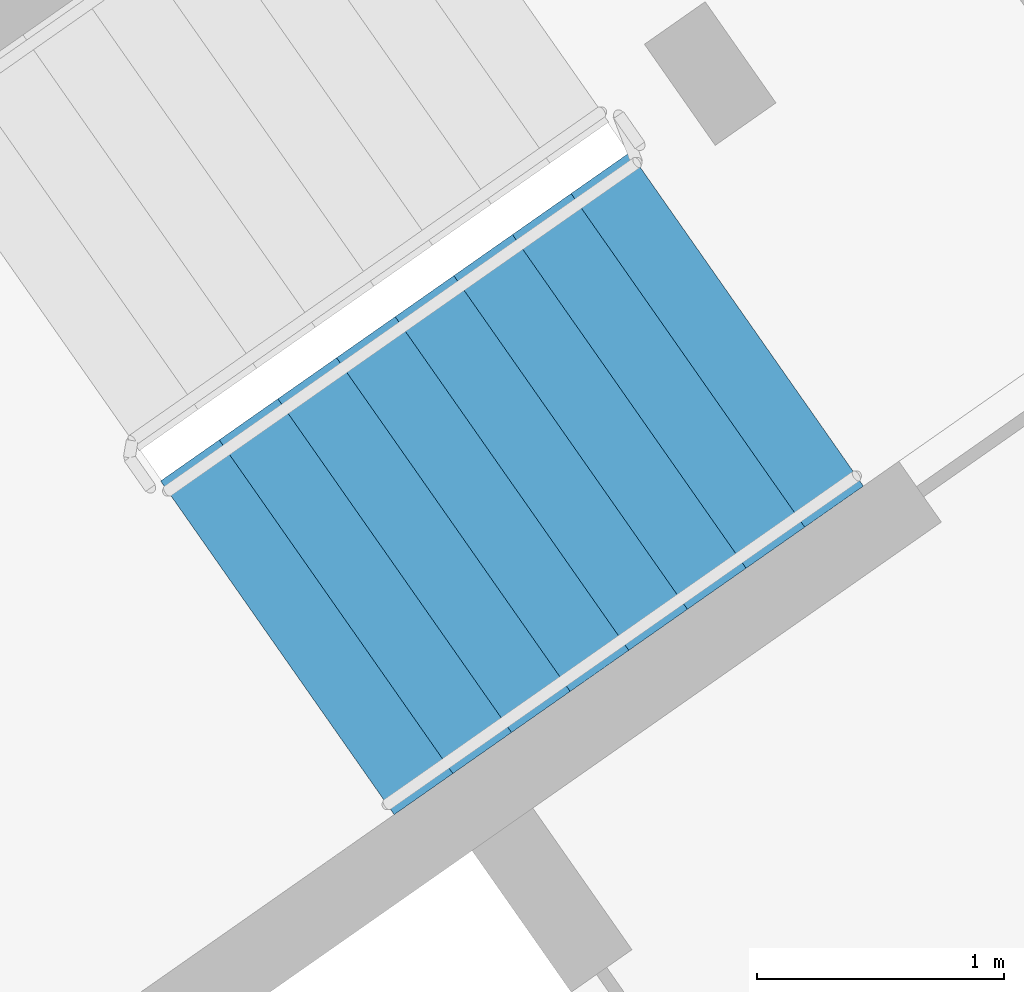
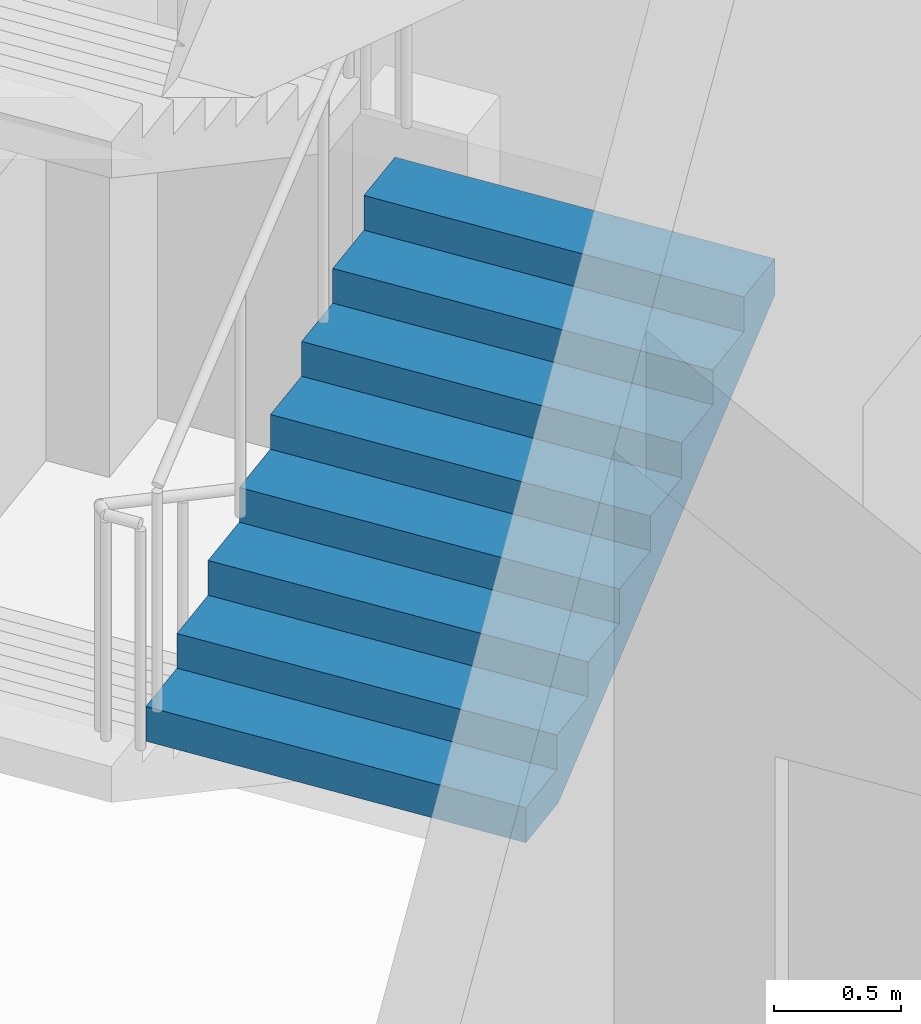
# One storey, part 20 of 41: 1 stair flight, 1 element without a shape of its own.
"""IFC4 building model written with IfcOpenShell, lengths in metres."""

from ifc_helpers import new_model, si_unit, direction, frame, origin, place, context, subcontext, project, spatial, faceted_brep, material, type_object, element, aggregate, save


model = new_model("IFC4")

# Units and contexts
model_context = context("Model", 3, precision=1e-05, world=origin(), true_north=direction((0.0, 1.0)))
body_context = subcontext(model_context, "Body", "Model", "MODEL_VIEW")
ifc_project = project(units=[si_unit("LENGTHUNIT", "METRE"), si_unit("AREAUNIT", "SQUARE_METRE"), si_unit("VOLUMEUNIT", "CUBIC_METRE"), si_unit("PLANEANGLEUNIT", "RADIAN"), si_unit("MASSUNIT", "GRAM", prefix="KILO")], contexts=[model_context])

# Site, building, storey
site_placement = place(None, origin())
site = spatial("IfcSite", under=ifc_project, at=site_placement, CompositionType="ELEMENT")
building_placement = place(site_placement, origin())
building = spatial("IfcBuilding", under=site, at=building_placement, Name="Qamariyya Broadcast Tower", CompositionType="ELEMENT")
storey_placement = place(building_placement, frame((0.0, 0.0, 284.699951171875)))
storey = spatial("IfcBuildingStorey", under=building, at=storey_placement, Name="L69", CompositionType="ELEMENT", Elevation=284.699951171875)

# Stair, stair flight
ifc_material = material(Name="Concrete C50/60", Category="concrete")
stair_type = type_object("IfcStairType", Name="Exit stair 36 risers of 167 mm", PredefinedType="HALF_TURN_STAIR", material=ifc_material)
stair_placement = place(storey_placement, origin())
stair = element("IfcStair", 1, at=stair_placement, inside=storey, type_object=stair_type, Name="L69 Stair E2", PredefinedType="HALF_TURN_STAIR")
stair_flight_type = type_object("IfcStairFlightType", Name="Exit stair flight 9 risers of 167 mm", PredefinedType="STRAIGHT", material=ifc_material)
stair_flight_placement = place(storey_placement, frame((39.690673828125, -50.490478515625, 1.5), z_axis=(0.0, 0.0, 1.0), x_axis=(0.819152044289, 0.573576436351, 0.0)))
stair_flight = element("IfcStairFlight", 2, at=stair_flight_placement, type_object=stair_flight_type, Name="ST-E2 flight 2", NumberOfRisers=9, NumberOfTreads=8, PredefinedType="STRAIGHT", RiserHeight=0.166666667, TreadLength=0.29, context=body_context, shape_type="Brep", body=[
    faceted_brep([(0.0, 0.824951171875, 0.0), (0.0, 0.824951171875, 0.166748046875), (0.2900390625, 0.824951171875, 0.166748046875), (0.2900390625, 0.824951171875, 0.333251953125), (0.580078125, 0.824951171875, 0.333251953125), (0.580078125, 0.824951171875, 0.5), (0.8701171875, 0.824951171875, 0.5), (0.8701171875, 0.824951171875, 0.666748046875), (1.159912109375, 0.824951171875, 0.666748046875), (1.159912109375, 0.824951171875, 0.833251953125), (1.449951171875, 0.824951171875, 0.833251953125), (1.449951171875, 0.824951171875, 1.0), (1.739990234375, 0.824951171875, 1.0), (1.739990234375, 0.824951171875, 1.166748046875), (2.030029296875, 0.824951171875, 1.166748046875), (2.030029296875, 0.824951171875, 1.333251953125), (2.320068359375, 0.824951171875, 1.333251953125), (2.320068359375, 0.824951171875, 1.160400390625), (0.30078125, 0.824951171875, 0.0), (0.30078125, -0.824951171875, 0.0), (2.320068359375, -0.824951171875, 1.160400390625), (2.320068359375, -0.824951171875, 1.333251953125), (2.030029296875, -0.824951171875, 1.333251953125), (2.030029296875, -0.824951171875, 1.166748046875), (1.739990234375, -0.824951171875, 1.166748046875), (1.739990234375, -0.824951171875, 1.0), (1.449951171875, -0.824951171875, 1.0), (1.449951171875, -0.824951171875, 0.833251953125), (1.159912109375, -0.824951171875, 0.833251953125), (1.159912109375, -0.824951171875, 0.666748046875), (0.8701171875, -0.824951171875, 0.666748046875), (0.8701171875, -0.824951171875, 0.5), (0.580078125, -0.824951171875, 0.5), (0.580078125, -0.824951171875, 0.333251953125), (0.2900390625, -0.824951171875, 0.333251953125), (0.2900390625, -0.824951171875, 0.166748046875), (0.0, -0.824951171875, 0.166748046875), (0.0, -0.824951171875, 0.0), (0.0, 0.10009765625, 0.0), (0.0, 0.086669921875, 0.0), (0.0, 0.0732421875, 0.0), (0.0, 0.06005859375, 0.0), (0.0, 0.046630859375, 0.0), (0.0, 0.033447265625, 0.0), (0.0, 0.02001953125, 0.0), (0.0, 0.006591796875, 0.0), (0.0, -0.006591796875, 0.0), (0.0, -0.02001953125, 0.0), (0.0, -0.033447265625, 0.0), (0.0, -0.046630859375, 0.0), (0.0, -0.06005859375, 0.0), (0.0, -0.0732421875, 0.0), (0.0, -0.086669921875, 0.0), (0.0, -0.10009765625, 0.0), (0.0, -0.10009765625, 0.166748046875), (0.0, -0.086669921875, 0.166748046875), (0.0, -0.0732421875, 0.166748046875), (0.0, -0.06005859375, 0.166748046875), (0.0, -0.046630859375, 0.166748046875), (0.0, -0.033447265625, 0.166748046875), (0.0, -0.02001953125, 0.166748046875), (0.0, -0.006591796875, 0.166748046875), (0.0, 0.006591796875, 0.166748046875), (0.0, 0.02001953125, 0.166748046875), (0.0, 0.033447265625, 0.166748046875), (0.0, 0.046630859375, 0.166748046875), (0.0, 0.06005859375, 0.166748046875), (0.0, 0.0732421875, 0.166748046875), (0.0, 0.086669921875, 0.166748046875), (0.0, 0.10009765625, 0.166748046875), (0.2900390625, -0.10009765625, 0.166748046875), (0.2900390625, -0.086669921875, 0.166748046875), (0.2900390625, -0.0732421875, 0.166748046875), (0.2900390625, -0.06005859375, 0.166748046875), (0.2900390625, -0.046630859375, 0.166748046875), (0.2900390625, -0.033447265625, 0.166748046875), (0.2900390625, -0.02001953125, 0.166748046875), (0.2900390625, -0.006591796875, 0.166748046875), (0.2900390625, 0.006591796875, 0.166748046875), (0.2900390625, 0.02001953125, 0.166748046875), (0.2900390625, 0.033447265625, 0.166748046875), (0.2900390625, 0.046630859375, 0.166748046875), (0.2900390625, 0.06005859375, 0.166748046875), (0.2900390625, 0.0732421875, 0.166748046875), (0.2900390625, 0.086669921875, 0.166748046875), (0.2900390625, 0.10009765625, 0.166748046875), (0.2900390625, -0.10009765625, 0.333251953125), (0.2900390625, -0.086669921875, 0.333251953125), (0.2900390625, -0.0732421875, 0.333251953125), (0.2900390625, -0.06005859375, 0.333251953125), (0.2900390625, -0.046630859375, 0.333251953125), (0.2900390625, -0.033447265625, 0.333251953125), (0.2900390625, -0.02001953125, 0.333251953125), (0.2900390625, -0.006591796875, 0.333251953125), (0.2900390625, 0.006591796875, 0.333251953125), (0.2900390625, 0.02001953125, 0.333251953125), (0.2900390625, 0.033447265625, 0.333251953125), (0.2900390625, 0.046630859375, 0.333251953125), (0.2900390625, 0.06005859375, 0.333251953125), (0.2900390625, 0.0732421875, 0.333251953125), (0.2900390625, 0.086669921875, 0.333251953125), (0.2900390625, 0.10009765625, 0.333251953125), (0.580078125, -0.10009765625, 0.333251953125), (0.580078125, -0.086669921875, 0.333251953125), (0.580078125, -0.0732421875, 0.333251953125), (0.580078125, -0.06005859375, 0.333251953125), (0.580078125, -0.046630859375, 0.333251953125), (0.580078125, -0.033447265625, 0.333251953125), (0.580078125, -0.02001953125, 0.333251953125), (0.580078125, -0.006591796875, 0.333251953125), (0.580078125, 0.006591796875, 0.333251953125), (0.580078125, 0.02001953125, 0.333251953125), (0.580078125, 0.033447265625, 0.333251953125), (0.580078125, 0.046630859375, 0.333251953125), (0.580078125, 0.06005859375, 0.333251953125), (0.580078125, 0.0732421875, 0.333251953125), (0.580078125, 0.086669921875, 0.333251953125), (0.580078125, 0.10009765625, 0.333251953125), (0.580078125, -0.10009765625, 0.5), (0.580078125, -0.086669921875, 0.5), (0.580078125, -0.0732421875, 0.5), (0.580078125, -0.06005859375, 0.5), (0.580078125, -0.046630859375, 0.5), (0.580078125, -0.033447265625, 0.5), (0.580078125, -0.02001953125, 0.5), (0.580078125, -0.006591796875, 0.5), (0.580078125, 0.006591796875, 0.5), (0.580078125, 0.02001953125, 0.5), (0.580078125, 0.033447265625, 0.5), (0.580078125, 0.046630859375, 0.5), (0.580078125, 0.06005859375, 0.5), (0.580078125, 0.0732421875, 0.5), (0.580078125, 0.086669921875, 0.5), (0.580078125, 0.10009765625, 0.5), (0.8701171875, -0.10009765625, 0.5), (0.8701171875, -0.086669921875, 0.5), (0.8701171875, -0.0732421875, 0.5), (0.8701171875, -0.06005859375, 0.5), (0.8701171875, -0.046630859375, 0.5), (0.8701171875, -0.033447265625, 0.5), (0.8701171875, -0.02001953125, 0.5), (0.8701171875, -0.006591796875, 0.5), (0.8701171875, 0.006591796875, 0.5), (0.8701171875, 0.02001953125, 0.5), (0.8701171875, 0.033447265625, 0.5), (0.8701171875, 0.046630859375, 0.5), (0.8701171875, 0.06005859375, 0.5), (0.8701171875, 0.0732421875, 0.5), (0.8701171875, 0.086669921875, 0.5), (0.8701171875, 0.10009765625, 0.5), (0.8701171875, -0.10009765625, 0.666748046875), (0.8701171875, -0.086669921875, 0.666748046875), (0.8701171875, -0.0732421875, 0.666748046875), (0.8701171875, -0.06005859375, 0.666748046875), (0.8701171875, -0.046630859375, 0.666748046875), (0.8701171875, -0.033447265625, 0.666748046875), (0.8701171875, -0.02001953125, 0.666748046875), (0.8701171875, -0.006591796875, 0.666748046875), (0.8701171875, 0.006591796875, 0.666748046875), (0.8701171875, 0.02001953125, 0.666748046875), (0.8701171875, 0.033447265625, 0.666748046875), (0.8701171875, 0.046630859375, 0.666748046875), (0.8701171875, 0.06005859375, 0.666748046875), (0.8701171875, 0.0732421875, 0.666748046875), (0.8701171875, 0.086669921875, 0.666748046875), (0.8701171875, 0.10009765625, 0.666748046875), (1.159912109375, -0.10009765625, 0.666748046875), (1.159912109375, -0.086669921875, 0.666748046875), (1.159912109375, -0.0732421875, 0.666748046875), (1.159912109375, -0.06005859375, 0.666748046875), (1.159912109375, -0.046630859375, 0.666748046875), (1.159912109375, -0.033447265625, 0.666748046875), (1.159912109375, -0.02001953125, 0.666748046875), (1.159912109375, -0.006591796875, 0.666748046875), (1.159912109375, 0.006591796875, 0.666748046875), (1.159912109375, 0.02001953125, 0.666748046875), (1.159912109375, 0.033447265625, 0.666748046875), (1.159912109375, 0.046630859375, 0.666748046875), (1.159912109375, 0.06005859375, 0.666748046875), (1.159912109375, 0.0732421875, 0.666748046875), (1.159912109375, 0.086669921875, 0.666748046875), (1.159912109375, 0.10009765625, 0.666748046875), (1.159912109375, -0.10009765625, 0.833251953125), (1.159912109375, -0.086669921875, 0.833251953125), (1.159912109375, -0.0732421875, 0.833251953125), (1.159912109375, -0.06005859375, 0.833251953125), (1.159912109375, -0.046630859375, 0.833251953125), (1.159912109375, -0.033447265625, 0.833251953125), (1.159912109375, -0.02001953125, 0.833251953125), (1.159912109375, -0.006591796875, 0.833251953125), (1.159912109375, 0.006591796875, 0.833251953125), (1.159912109375, 0.02001953125, 0.833251953125), (1.159912109375, 0.033447265625, 0.833251953125), (1.159912109375, 0.046630859375, 0.833251953125), (1.159912109375, 0.06005859375, 0.833251953125), (1.159912109375, 0.0732421875, 0.833251953125), (1.159912109375, 0.086669921875, 0.833251953125), (1.159912109375, 0.10009765625, 0.833251953125), (1.449951171875, -0.10009765625, 0.833251953125), (1.449951171875, -0.086669921875, 0.833251953125), (1.449951171875, -0.0732421875, 0.833251953125), (1.449951171875, -0.06005859375, 0.833251953125), (1.449951171875, -0.046630859375, 0.833251953125), (1.449951171875, -0.033447265625, 0.833251953125), (1.449951171875, -0.02001953125, 0.833251953125), (1.449951171875, -0.006591796875, 0.833251953125), (1.449951171875, 0.006591796875, 0.833251953125), (1.449951171875, 0.02001953125, 0.833251953125), (1.449951171875, 0.033447265625, 0.833251953125), (1.449951171875, 0.046630859375, 0.833251953125), (1.449951171875, 0.06005859375, 0.833251953125), (1.449951171875, 0.0732421875, 0.833251953125), (1.449951171875, 0.086669921875, 0.833251953125), (1.449951171875, 0.10009765625, 0.833251953125), (1.449951171875, -0.10009765625, 1.0), (1.449951171875, -0.086669921875, 1.0), (1.449951171875, -0.0732421875, 1.0), (1.449951171875, -0.06005859375, 1.0), (1.449951171875, -0.046630859375, 1.0), (1.449951171875, -0.033447265625, 1.0), (1.449951171875, -0.02001953125, 1.0), (1.449951171875, -0.006591796875, 1.0), (1.449951171875, 0.006591796875, 1.0), (1.449951171875, 0.02001953125, 1.0), (1.449951171875, 0.033447265625, 1.0), (1.449951171875, 0.046630859375, 1.0), (1.449951171875, 0.06005859375, 1.0), (1.449951171875, 0.0732421875, 1.0), (1.449951171875, 0.086669921875, 1.0), (1.449951171875, 0.10009765625, 1.0), (1.739990234375, -0.10009765625, 1.0), (1.739990234375, -0.086669921875, 1.0), (1.739990234375, -0.0732421875, 1.0), (1.739990234375, -0.06005859375, 1.0), (1.739990234375, -0.046630859375, 1.0), (1.739990234375, -0.033447265625, 1.0), (1.739990234375, -0.02001953125, 1.0), (1.739990234375, -0.006591796875, 1.0), (1.739990234375, 0.006591796875, 1.0), (1.739990234375, 0.02001953125, 1.0), (1.739990234375, 0.033447265625, 1.0), (1.739990234375, 0.046630859375, 1.0), (1.739990234375, 0.06005859375, 1.0), (1.739990234375, 0.0732421875, 1.0), (1.739990234375, 0.086669921875, 1.0), (1.739990234375, 0.10009765625, 1.0), (1.739990234375, -0.10009765625, 1.166748046875), (1.739990234375, -0.086669921875, 1.166748046875), (1.739990234375, -0.0732421875, 1.166748046875), (1.739990234375, -0.06005859375, 1.166748046875), (1.739990234375, -0.046630859375, 1.166748046875), (1.739990234375, -0.033447265625, 1.166748046875), (1.739990234375, -0.02001953125, 1.166748046875), (1.739990234375, -0.006591796875, 1.166748046875), (1.739990234375, 0.006591796875, 1.166748046875), (1.739990234375, 0.02001953125, 1.166748046875), (1.739990234375, 0.033447265625, 1.166748046875), (1.739990234375, 0.046630859375, 1.166748046875), (1.739990234375, 0.06005859375, 1.166748046875), (1.739990234375, 0.0732421875, 1.166748046875), (1.739990234375, 0.086669921875, 1.166748046875), (1.739990234375, 0.10009765625, 1.166748046875), (2.030029296875, -0.10009765625, 1.166748046875), (2.030029296875, -0.086669921875, 1.166748046875), (2.030029296875, -0.0732421875, 1.166748046875), (2.030029296875, -0.06005859375, 1.166748046875), (2.030029296875, -0.046630859375, 1.166748046875), (2.030029296875, -0.033447265625, 1.166748046875), (2.030029296875, -0.02001953125, 1.166748046875), (2.030029296875, -0.006591796875, 1.166748046875), (2.030029296875, 0.006591796875, 1.166748046875), (2.030029296875, 0.02001953125, 1.166748046875), (2.030029296875, 0.033447265625, 1.166748046875), (2.030029296875, 0.046630859375, 1.166748046875), (2.030029296875, 0.06005859375, 1.166748046875), (2.030029296875, 0.0732421875, 1.166748046875), (2.030029296875, 0.086669921875, 1.166748046875), (2.030029296875, 0.10009765625, 1.166748046875), (2.030029296875, -0.10009765625, 1.333251953125), (2.030029296875, -0.086669921875, 1.333251953125), (2.030029296875, -0.0732421875, 1.333251953125), (2.030029296875, -0.06005859375, 1.333251953125), (2.030029296875, -0.046630859375, 1.333251953125), (2.030029296875, -0.033447265625, 1.333251953125), (2.030029296875, -0.02001953125, 1.333251953125), (2.030029296875, -0.006591796875, 1.333251953125), (2.030029296875, 0.006591796875, 1.333251953125), (2.030029296875, 0.02001953125, 1.333251953125), (2.030029296875, 0.033447265625, 1.333251953125), (2.030029296875, 0.046630859375, 1.333251953125), (2.030029296875, 0.06005859375, 1.333251953125), (2.030029296875, 0.0732421875, 1.333251953125), (2.030029296875, 0.086669921875, 1.333251953125), (2.030029296875, 0.10009765625, 1.333251953125), (2.320068359375, -0.10009765625, 1.333251953125), (2.320068359375, -0.086669921875, 1.333251953125), (2.320068359375, -0.0732421875, 1.333251953125), (2.320068359375, -0.06005859375, 1.333251953125), (2.320068359375, -0.046630859375, 1.333251953125), (2.320068359375, -0.033447265625, 1.333251953125), (2.320068359375, -0.02001953125, 1.333251953125), (2.320068359375, -0.006591796875, 1.333251953125), (2.320068359375, 0.006591796875, 1.333251953125), (2.320068359375, 0.02001953125, 1.333251953125), (2.320068359375, 0.033447265625, 1.333251953125), (2.320068359375, 0.046630859375, 1.333251953125), (2.320068359375, 0.06005859375, 1.333251953125), (2.320068359375, 0.0732421875, 1.333251953125), (2.320068359375, 0.086669921875, 1.333251953125), (2.320068359375, 0.10009765625, 1.333251953125), (2.320068359375, -0.10009765625, 1.160400390625), (2.320068359375, -0.086669921875, 1.160400390625), (2.320068359375, -0.0732421875, 1.160400390625), (2.320068359375, -0.06005859375, 1.160400390625), (2.320068359375, -0.046630859375, 1.160400390625), (2.320068359375, -0.033447265625, 1.160400390625), (2.320068359375, -0.02001953125, 1.160400390625), (2.320068359375, -0.006591796875, 1.160400390625), (2.320068359375, 0.006591796875, 1.160400390625), (2.320068359375, 0.02001953125, 1.160400390625), (2.320068359375, 0.033447265625, 1.160400390625), (2.320068359375, 0.046630859375, 1.160400390625), (2.320068359375, 0.06005859375, 1.160400390625), (2.320068359375, 0.0732421875, 1.160400390625), (2.320068359375, 0.086669921875, 1.160400390625), (2.320068359375, 0.10009765625, 1.160400390625), (0.30078125, -0.10009765625, 0.0), (0.30078125, -0.086669921875, 0.0), (0.30078125, -0.0732421875, 0.0), (0.30078125, -0.06005859375, 0.0), (0.30078125, -0.046630859375, 0.0), (0.30078125, -0.033447265625, 0.0), (0.30078125, -0.02001953125, 0.0), (0.30078125, -0.006591796875, 0.0), (0.30078125, 0.006591796875, 0.0), (0.30078125, 0.02001953125, 0.0), (0.30078125, 0.033447265625, 0.0), (0.30078125, 0.046630859375, 0.0), (0.30078125, 0.06005859375, 0.0), (0.30078125, 0.0732421875, 0.0), (0.30078125, 0.086669921875, 0.0), (0.30078125, 0.10009765625, 0.0)], [[[0, 1, 2, 3, 4, 5, 6, 7, 8, 9, 10, 11, 12, 13, 14, 15, 16, 17, 18]], [[19, 20, 21, 22, 23, 24, 25, 26, 27, 28, 29, 30, 31, 32, 33, 34, 35, 36, 37]], [[0, 38, 39, 40, 41, 42, 43, 44, 45, 46, 47, 48, 49, 50, 51, 52, 53, 37, 36, 54, 55, 56, 57, 58, 59, 60, 61, 62, 63, 64, 65, 66, 67, 68, 69, 1]], [[1, 69, 68, 67, 66, 65, 64, 63, 62, 61, 60, 59, 58, 57, 56, 55, 54, 36, 35, 70, 71, 72, 73, 74, 75, 76, 77, 78, 79, 80, 81, 82, 83, 84, 85, 2]], [[2, 85, 84, 83, 82, 81, 80, 79, 78, 77, 76, 75, 74, 73, 72, 71, 70, 35, 34, 86, 87, 88, 89, 90, 91, 92, 93, 94, 95, 96, 97, 98, 99, 100, 101, 3]], [[3, 101, 100, 99, 98, 97, 96, 95, 94, 93, 92, 91, 90, 89, 88, 87, 86, 34, 33, 102, 103, 104, 105, 106, 107, 108, 109, 110, 111, 112, 113, 114, 115, 116, 117, 4]], [[4, 117, 116, 115, 114, 113, 112, 111, 110, 109, 108, 107, 106, 105, 104, 103, 102, 33, 32, 118, 119, 120, 121, 122, 123, 124, 125, 126, 127, 128, 129, 130, 131, 132, 133, 5]], [[5, 133, 132, 131, 130, 129, 128, 127, 126, 125, 124, 123, 122, 121, 120, 119, 118, 32, 31, 134, 135, 136, 137, 138, 139, 140, 141, 142, 143, 144, 145, 146, 147, 148, 149, 6]], [[6, 149, 148, 147, 146, 145, 144, 143, 142, 141, 140, 139, 138, 137, 136, 135, 134, 31, 30, 150, 151, 152, 153, 154, 155, 156, 157, 158, 159, 160, 161, 162, 163, 164, 165, 7]], [[7, 165, 164, 163, 162, 161, 160, 159, 158, 157, 156, 155, 154, 153, 152, 151, 150, 30, 29, 166, 167, 168, 169, 170, 171, 172, 173, 174, 175, 176, 177, 178, 179, 180, 181, 8]], [[8, 181, 180, 179, 178, 177, 176, 175, 174, 173, 172, 171, 170, 169, 168, 167, 166, 29, 28, 182, 183, 184, 185, 186, 187, 188, 189, 190, 191, 192, 193, 194, 195, 196, 197, 9]], [[9, 197, 196, 195, 194, 193, 192, 191, 190, 189, 188, 187, 186, 185, 184, 183, 182, 28, 27, 198, 199, 200, 201, 202, 203, 204, 205, 206, 207, 208, 209, 210, 211, 212, 213, 10]], [[10, 213, 212, 211, 210, 209, 208, 207, 206, 205, 204, 203, 202, 201, 200, 199, 198, 27, 26, 214, 215, 216, 217, 218, 219, 220, 221, 222, 223, 224, 225, 226, 227, 228, 229, 11]], [[11, 229, 228, 227, 226, 225, 224, 223, 222, 221, 220, 219, 218, 217, 216, 215, 214, 26, 25, 230, 231, 232, 233, 234, 235, 236, 237, 238, 239, 240, 241, 242, 243, 244, 245, 12]], [[12, 245, 244, 243, 242, 241, 240, 239, 238, 237, 236, 235, 234, 233, 232, 231, 230, 25, 24, 246, 247, 248, 249, 250, 251, 252, 253, 254, 255, 256, 257, 258, 259, 260, 261, 13]], [[13, 261, 260, 259, 258, 257, 256, 255, 254, 253, 252, 251, 250, 249, 248, 247, 246, 24, 23, 262, 263, 264, 265, 266, 267, 268, 269, 270, 271, 272, 273, 274, 275, 276, 277, 14]], [[14, 277, 276, 275, 274, 273, 272, 271, 270, 269, 268, 267, 266, 265, 264, 263, 262, 23, 22, 278, 279, 280, 281, 282, 283, 284, 285, 286, 287, 288, 289, 290, 291, 292, 293, 15]], [[15, 293, 292, 291, 290, 289, 288, 287, 286, 285, 284, 283, 282, 281, 280, 279, 278, 22, 21, 294, 295, 296, 297, 298, 299, 300, 301, 302, 303, 304, 305, 306, 307, 308, 309, 16]], [[16, 309, 308, 307, 306, 305, 304, 303, 302, 301, 300, 299, 298, 297, 296, 295, 294, 21, 20, 310, 311, 312, 313, 314, 315, 316, 317, 318, 319, 320, 321, 322, 323, 324, 325, 17]], [[17, 325, 324, 323, 322, 321, 320, 319, 318, 317, 316, 315, 314, 313, 312, 311, 310, 20, 19, 326, 327, 328, 329, 330, 331, 332, 333, 334, 335, 336, 337, 338, 339, 340, 341, 18]], [[18, 341, 340, 339, 338, 337, 336, 335, 334, 333, 332, 331, 330, 329, 328, 327, 326, 19, 37, 53, 52, 51, 50, 49, 48, 47, 46, 45, 44, 43, 42, 41, 40, 39, 38, 0]]]),
])
aggregate(stair, [stair_flight])

save(model, "model.ifc")
